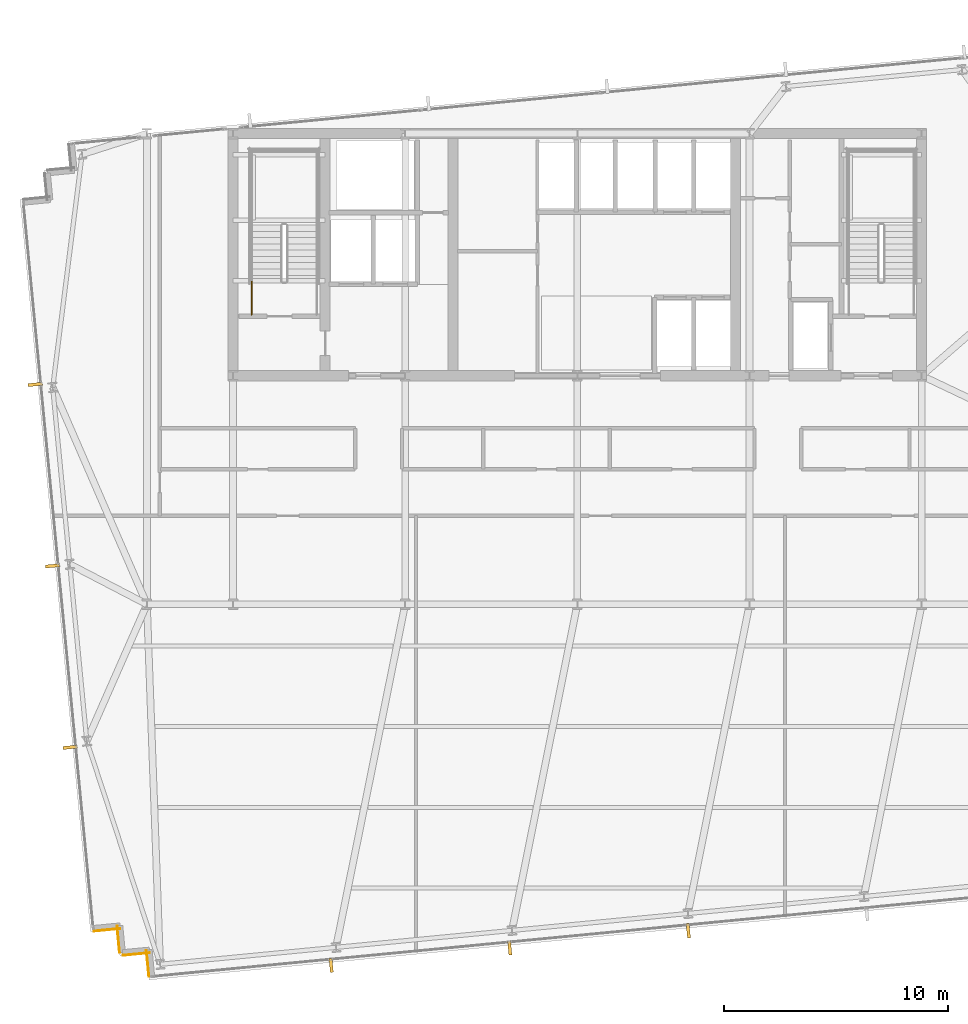
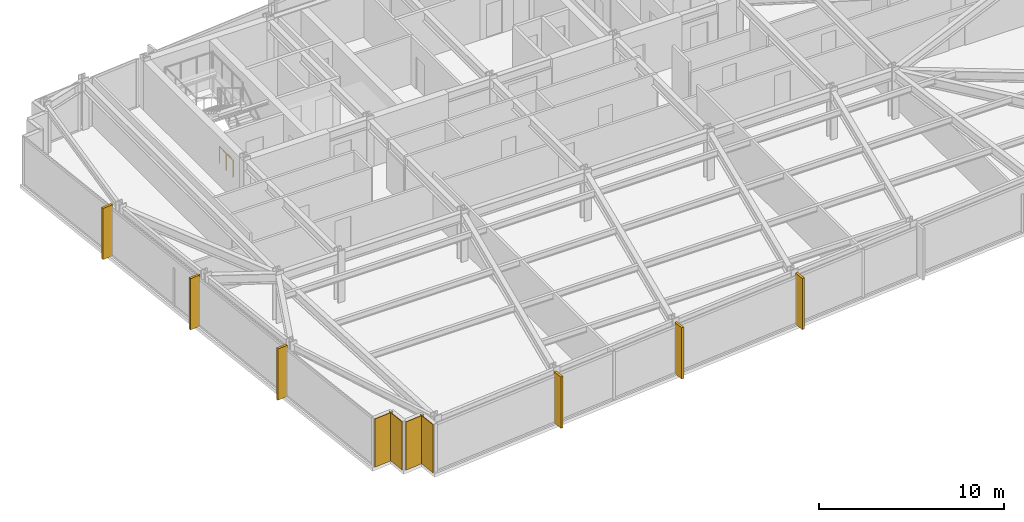
# One storey, part 27 of 32: 6 shading devices, 4 coverings, 1 railing.
"""IFC4 building model written with IfcOpenShell, lengths in metres."""

from ifc_helpers import new_model, si_unit, direction, frame, frame_2d, origin, origin_2d, place, context, subcontext, project, spatial, rectangle, circle, extrude, material, layer, layer_set, type_object, element, save


model = new_model("IFC4")

# Units and contexts
model_context = context("Model", 3, precision=1e-05, world=origin(), true_north=direction((0.0, 1.0)))
body_context = subcontext(model_context, "Body", "Model", "MODEL_VIEW")
ifc_project = project(units=[si_unit("LENGTHUNIT", "METRE"), si_unit("AREAUNIT", "SQUARE_METRE"), si_unit("VOLUMEUNIT", "CUBIC_METRE"), si_unit("PLANEANGLEUNIT", "RADIAN"), si_unit("MASSUNIT", "GRAM", prefix="KILO")], contexts=[model_context])

# Site, building, storey
site_placement = place(None, origin())
site = spatial("IfcSite", under=ifc_project, at=site_placement, CompositionType="ELEMENT")
building_placement = place(site_placement, origin())
building = spatial("IfcBuilding", under=site, at=building_placement, Name="Yelkora Congress Tower", CompositionType="ELEMENT")
storey_placement = place(building_placement, frame((0.0, 0.0, 113.5)))
storey = spatial("IfcBuildingStorey", under=building, at=storey_placement, Name="L30", CompositionType="ELEMENT", Elevation=113.5)

# Coverings
ifc_material_1 = material(Name="Anatolian bush-hammered limestone", Category="masonry")
ifc_layer_1 = layer(ifc_material_1, 0.0400390625)
ifc_layer_set_1 = layer_set([ifc_layer_1], Name="Anatolian bush-hammered limestone")
covering_type = type_object("IfcCoveringType", Name="COV-CLAD-SPANDREL-40", PredefinedType="CLADDING", material=ifc_layer_set_1)
covering_1_placement = place(storey_placement, frame((19.29248046875, 8.58447265625, 0.0), z_axis=(0.0, 0.0, 1.0), x_axis=(-0.095836473879, 0.995397091755, 0.0)))
element("IfcCovering", 1, at=covering_1_placement, inside=storey, type_object=covering_type, Name="L30 Anatolian Limestone Cladding EW-L30-SR01", PredefinedType="CLADDING", context=body_context, shape_type="SweptSolid", body=[
    extrude(rectangle(XDim=1.199951171875, YDim=0.0400390625, at=frame_2d((0.60009765625, 0.0))), origin(), (0.0, 0.0, 1.0), 3.179931640625),
])
for number, where, z_axis, x_axis, name in (
    (2, (19.32470703125, 9.657470703125, 0.0), (0.0, 0.0, 1.0), (-0.995398960025, -0.095817067274, 0.0), "L30 Anatolian Limestone Cladding EW-L30-SR02"),
    (3, (17.98291015625, 9.663818359375, 0.0), (0.0, 0.0, 1.0), (-0.095817067274, 0.995398960025, 0.0), "L30 Anatolian Limestone Cladding EW-L30-SR03"),
):
    element("IfcCovering", number, at=place(storey_placement, frame(where, z_axis=z_axis, x_axis=x_axis)), inside=storey, type_object=covering_type, Name=name, PredefinedType="CLADDING", context=body_context, shape_type="SweptSolid", body=[
        extrude(rectangle(XDim=1.2001953125, YDim=0.0400390625, at=frame_2d((0.60009765625, 0.0))), origin(), (0.0, 0.0, 1.0), 3.179931640625),
    ])
covering_2_placement = place(storey_placement, frame((18.01513671875, 10.737060546875, 0.0), z_axis=(0.0, 0.0, 1.0), x_axis=(-0.995397091755, -0.095836473879, 0.0)))
element("IfcCovering", 4, at=covering_2_placement, inside=storey, type_object=covering_type, Name="L30 Anatolian Limestone Cladding EW-L30-SR04", PredefinedType="CLADDING", context=body_context, shape_type="SweptSolid", body=[
    extrude(rectangle(XDim=1.199951171875, YDim=0.0400390625, at=frame_2d((0.60009765625, 0.0))), origin(), (0.0, 0.0, 1.0), 3.179931640625),
])

# Railing
ifc_material_2 = material(Name="Painted galvanised steel stair well guard with vertical infill", Category="steel")
ifc_layer_2 = layer(ifc_material_2, 0.06005859375)
ifc_layer_set_2 = layer_set([ifc_layer_2], Name="Painted galvanised steel stair well guard with vertical infill")
railing_type = type_object("IfcRailingType", Name="RAIL-STAIR-GUARD-1120", PredefinedType="GUARDRAIL", material=ifc_layer_set_2)
railing_placement = place(storey_placement, frame((23.8701171875, 38.1201171875, 0.0)))
element("IfcRailing", 5, at=railing_placement, inside=storey, type_object=railing_type, Name="ST-01 L30 Stair Well Guardrail 9", PredefinedType="GUARDRAIL", context=body_context, shape_type="SweptSolid", body=[
    extrude(circle(Radius=0.02392578125, at=origin_2d()), frame((0.0, 0.0, 1.09619140625), z_axis=(0.0, 1.0, 0.0), x_axis=(-1.0, 0.0, 0.0)), (0.0, 0.0, 1.0), 1.47998046875),
    extrude(circle(Radius=0.02099609375, at=origin_2d()), origin(), (0.0, 0.0, 1.0), 1.072021484375),
    extrude(circle(Radius=0.02099609375, at=origin_2d()), frame((0.0, 0.739990234375, 0.0)), (0.0, 0.0, 1.0), 1.072021484375),
    extrude(circle(Radius=0.02099609375, at=origin_2d()), frame((0.0, 1.47998046875, 0.0)), (0.0, 0.0, 1.0), 1.072021484375),
])

# Shading devices
ifc_material_3 = material(Name="Champagne anodised aluminium", Category="aluminium")
ifc_layer_3 = layer(ifc_material_3, 3.39990234375)
ifc_layer_set_3 = layer_set([ifc_layer_3], Name="Champagne anodised aluminium")
shading_device_type = type_object("IfcShadingDeviceType", Name="SHD-FIN-ALU-640", PredefinedType="USERDEFINED", material=ifc_layer_set_3)
for number, where, z_axis, x_axis, name in (
    (6, (15.769775390625, 18.823974609375, -0.030029296875), (0.0, 0.0, 1.0), (-0.09584575252, 0.995396198367, 0.0), "L30 Vertical Anodised Solar Fin 5-1"),
    (7, (14.990478515625, 26.91650390625, -0.030029296875), (0.0, 0.0, 1.0), (-0.09584575252, 0.995396198367, 0.0), "L30 Vertical Anodised Solar Fin 5-2"),
    (8, (14.211181640625, 35.00927734375, -0.030029296875), (0.0, 0.0, 1.0), (-0.09584575252, 0.995396198367, 0.0), "L30 Vertical Anodised Solar Fin 5-3"),
    (9, (43.349609375, 10.639892578125, -0.030029296875), (0.0, 0.0, 1.0), (-0.995396198367, -0.09584575252, 0.0), "L30 Vertical Anodised Solar Fin 20-4"),
    (10, (35.3837890625, 9.872802734375, -0.030029296875), (0.0, 0.0, 1.0), (-0.995396198367, -0.09584575252, 0.0), "L30 Vertical Anodised Solar Fin 20-5"),
    (11, (27.417724609375, 9.105712890625, -0.030029296875), (0.0, 0.0, 1.0), (-0.995396198367, -0.09584575252, 0.0), "L30 Vertical Anodised Solar Fin 20-6"),
):
    element("IfcShadingDevice", number, at=place(storey_placement, frame(where, z_axis=z_axis, x_axis=x_axis)), inside=storey, type_object=shading_device_type, Name=name, ObjectType="FIN", PredefinedType="USERDEFINED", context=body_context, shape_type="SweptSolid", body=[
        extrude(rectangle(XDim=0.139892578125, YDim=0.639892578125, at=origin_2d()), origin(), (0.0, 0.0, 1.0), 3.3798828125),
    ])

save(model, "model.ifc")
